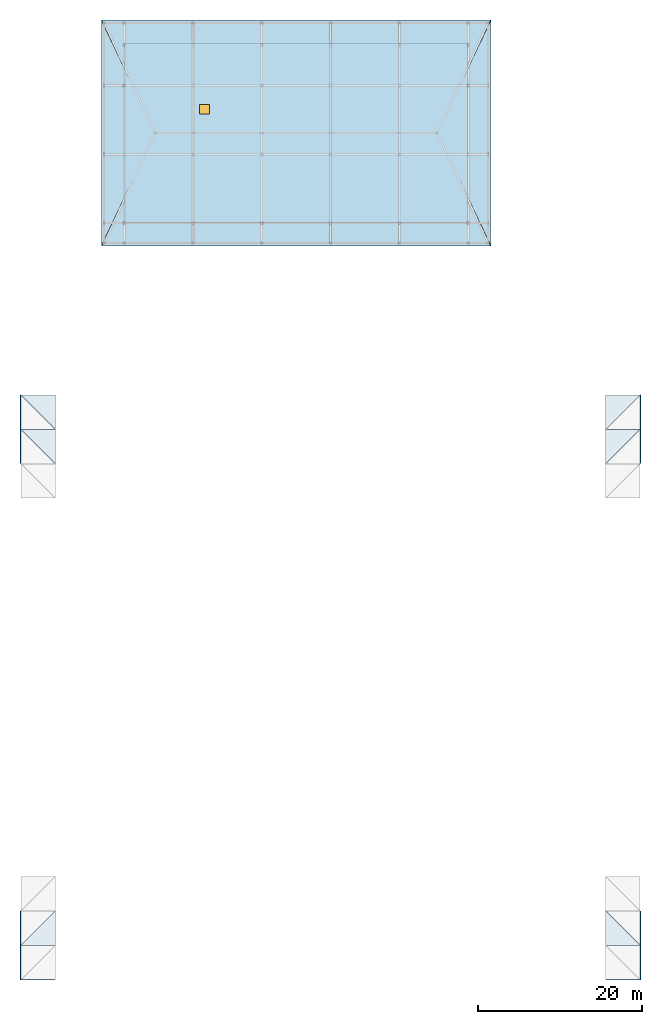
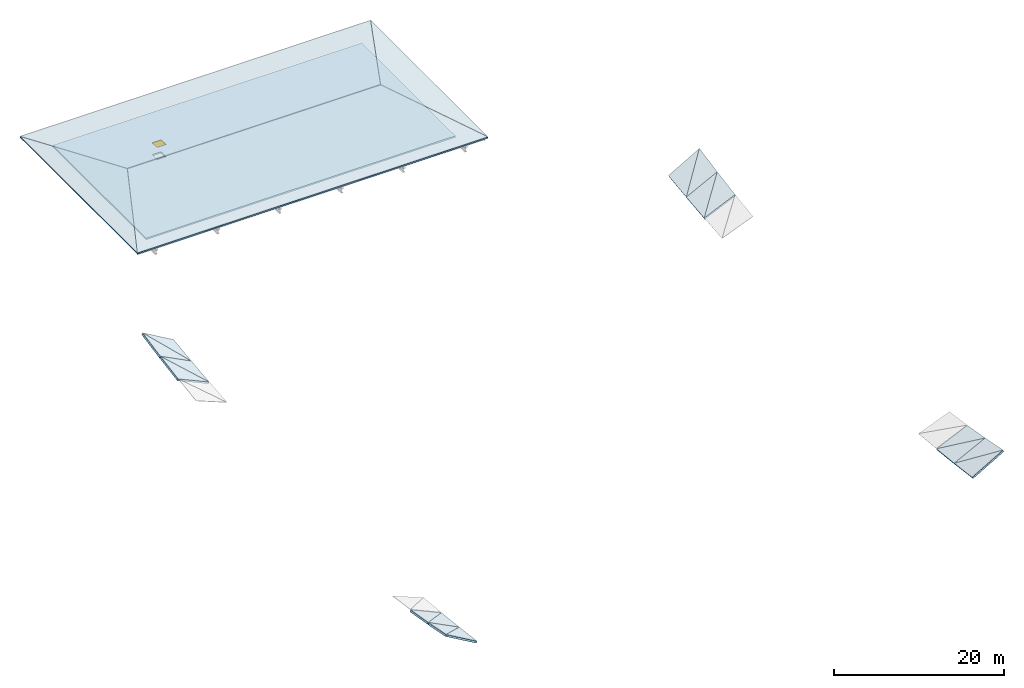
# One storey, part 8 of 13: 21 slabs, 1 window, 1 opening.
"""IFC4 building model written with IfcOpenShell, lengths in metres."""

from ifc_helpers import new_model, si_unit, direction, frame, origin, origin_2d, place, context, subcontext, project, spatial, polyline, rectangle, outline, extrude, material, layer, layer_set, type_object, element, fill, save


model = new_model("IFC4")

# Units and contexts
model_context = context("Model", 3, precision=1e-05, world=origin(), true_north=direction((0.0, 1.0)))
body_context = subcontext(model_context, "Body", "Model", "MODEL_VIEW")
ifc_project = project(units=[si_unit("LENGTHUNIT", "METRE"), si_unit("AREAUNIT", "SQUARE_METRE"), si_unit("VOLUMEUNIT", "CUBIC_METRE"), si_unit("PLANEANGLEUNIT", "RADIAN"), si_unit("MASSUNIT", "GRAM", prefix="KILO")], contexts=[model_context])

# Site, building, storey
site_placement = place(None, origin())
site = spatial("IfcSite", under=ifc_project, at=site_placement, CompositionType="ELEMENT")
building_placement = place(site_placement, origin())
building = spatial("IfcBuilding", under=site, at=building_placement, Name="Cumbredor Promenade Congress Hotel", CompositionType="ELEMENT")
storey_placement = place(building_placement, frame((0.0, 0.0, 38.639892578125)))
storey = spatial("IfcBuildingStorey", under=building, at=storey_placement, Name="RF", CompositionType="ELEMENT", Elevation=38.639892578125)

# Slabs
ifc_material_1 = material(Name="Concrete C40/50", Category="concrete")
ifc_layer_1 = layer(ifc_material_1, 0.25, Name="Concrete C40/50", Category="concrete")
ifc_layer_set_1 = layer_set([ifc_layer_1], Name="Concrete C40/50")
slab_type_1 = type_object("IfcSlabType", Name="Catenary Space Frame Roof Deck 250mm", PredefinedType="ROOF", material=ifc_layer_set_1)
slab_1_placement = place(storey_placement, frame((-4.199951171875, 0.0, 3.56005859375), z_axis=(0.498474139953, 0.109722296149, 0.859932875012), x_axis=(0.865156445792, 0.0, -0.501502068095)))
element("IfcSlab", 1, at=slab_1_placement, inside=storey, type_object=slab_type_1, Name="Plenary Congress Hall Sweeping Roof Deck Facet 1.1.1", PredefinedType="ROOF", context=body_context, shape_type="SweptSolid", body=[
    extrude(outline(polyline([(0.0, 0.0), (4.854556875003168, -2.7755575615628914e-17), (5.123306152217286, 4.225463328532745), (0.0, 0.0)])), origin(), (0.0, 0.0, -1.0), 0.25),
])
slab_2_placement = place(storey_placement, frame((-4.199951171875, 0.0, 3.56005859375), z_axis=(0.449143673494, 0.171073223044, 0.876928681774), x_axis=(0.632428057547, 0.632428057547, -0.447291296645)))
element("IfcSlab", 2, at=slab_2_placement, inside=storey, type_object=slab_type_1, Name="Plenary Congress Hall Sweeping Roof Deck Facet 1.1.2", PredefinedType="ROOF", context=body_context, shape_type="SweptSolid", body=[
    extrude(outline(polyline([(0.0, 0.0), (6.6409943735951575, 1.1102230246251565e-16), (3.022648795294112, 3.0289429649500246), (0.0, 0.0)])), origin(), (0.0, 0.0, -1.0), 0.25),
])
slab_3_placement = place(storey_placement, frame((-4.199951171875, 4.199951171875, 2.74072265625), z_axis=(0.453631186803, 0.098850513978, 0.885690308316), x_axis=(0.890049508975, 0.0, -0.455863873951)))
element("IfcSlab", 3, at=slab_3_placement, inside=storey, type_object=slab_type_1, Name="Plenary Congress Hall Sweeping Roof Deck Facet 1.2.1", PredefinedType="ROOF", context=body_context, shape_type="SweptSolid", body=[
    extrude(outline(polyline([(0.0, 0.0), (4.718783763739442, 0.0), (4.932469954653939, 4.220622539442095), (0.0, 0.0)])), origin(), (0.0, 0.0, -1.0), 0.25),
])
slab_4_placement = place(storey_placement, frame((-4.199951171875, 4.199951171875, 2.74072265625), z_axis=(0.40782723686, 0.153608821991, 0.900045151468), x_axis=(0.64696674513, 0.64696674513, -0.403569153171)))
element("IfcSlab", 4, at=slab_4_placement, inside=storey, type_object=slab_type_1, Name="Plenary Congress Hall Sweeping Roof Deck Facet 1.2.2", PredefinedType="ROOF", context=body_context, shape_type="SweptSolid", body=[
    extrude(outline(polyline([(0.0, 0.0), (6.491757425690709, -2.220446049250313e-16), (3.0065058472135213, 3.0189915860788448), (0.0, 0.0)])), origin(), (0.0, 0.0, -1.0), 0.25),
])
slab_5_placement = place(storey_placement, frame((-4.199951171875, 63.0, 2.02392578125), z_axis=(0.40782723686, -0.153608821991, 0.900045151468), x_axis=(0.910855423121, 0.0, -0.412725572471)))
element("IfcSlab", 5, at=slab_5_placement, inside=storey, type_object=slab_type_1, Name="Plenary Congress Hall Sweeping Roof Deck Facet 1.16.1", PredefinedType="ROOF", context=body_context, shape_type="SweptSolid", body=[
    extrude(outline(polyline([(0.0, 0.0), (4.6109965042377326, 0.0), (-0.29584040058006345, 4.250395989026032), (0.0, 0.0)])), origin(), (0.0, 0.0, -1.0), 0.25),
])
slab_6_placement = place(storey_placement, frame((0.0, 63.0, 0.120849609375), z_axis=(0.453631186803, -0.098850513978, 0.885690308316), x_axis=(0.0, 0.993829366657, 0.110919745625)))
element("IfcSlab", 6, at=slab_6_placement, inside=storey, type_object=slab_type_1, Name="Plenary Congress Hall Sweeping Roof Deck Facet 1.16.2", PredefinedType="ROOF", context=body_context, shape_type="SweptSolid", body=[
    extrude(outline(polyline([(0.0, 0.0), (4.22602844389791, -2.7755575615628914e-17), (4.464630465064764, 4.712747530308203), (0.0, 0.0)])), origin(), (0.0, 0.0, -1.0), 0.25),
])
slab_7_placement = place(storey_placement, frame((-4.199951171875, 67.199951171875, 2.74072265625), z_axis=(0.449143673494, -0.171073223044, 0.876928681774), x_axis=(0.890049508975, 0.0, -0.455863873951)))
element("IfcSlab", 7, at=slab_7_placement, inside=storey, type_object=slab_type_1, Name="Plenary Congress Hall Sweeping Roof Deck Facet 1.17.1", PredefinedType="ROOF", context=body_context, shape_type="SweptSolid", body=[
    extrude(outline(polyline([(0.0, 0.0), (4.718783763739442, 0.0), (-0.373505654535965, 4.26279189623923), (0.0, 0.0)])), origin(), (0.0, 0.0, -1.0), 0.25),
])
slab_8_placement = place(storey_placement, frame((0.0, 67.199951171875, 0.589599609375), z_axis=(0.498474139953, -0.109722296149, 0.859932875012), x_axis=(0.0, 0.991957945242, 0.126567906168)))
element("IfcSlab", 8, at=slab_8_placement, inside=storey, type_object=slab_type_1, Name="Plenary Congress Hall Sweeping Roof Deck Facet 1.17.2", PredefinedType="ROOF", context=body_context, shape_type="SweptSolid", body=[
    extrude(outline(polyline([(0.0, 0.0), (4.234001241707204, 0.0), (4.542139708578761, 4.844767604114214), (0.0, 0.0)])), origin(), (0.0, 0.0, -1.0), 0.25),
])
slab_9_placement = place(storey_placement, frame((67.199951171875, 0.0, 1.12548828125), z_axis=(-0.498474139953, 0.109722296149, 0.859932875012), x_axis=(0.865156445792, 0.0, 0.501502068095)))
element("IfcSlab", 9, at=slab_9_placement, inside=storey, type_object=slab_type_1, Name="Plenary Congress Hall Sweeping Roof Deck Facet 18.1.1", PredefinedType="ROOF", context=body_context, shape_type="SweptSolid", body=[
    extrude(outline(polyline([(0.0, 0.0), (4.854556875003168, 2.7755575615628914e-17), (-0.2687492772141179, 4.225463328532745), (0.0, 0.0)])), origin(), (0.0, 0.0, -1.0), 0.25),
])
slab_10_placement = place(storey_placement, frame((71.39990234375, 0.0, 3.56005859375), z_axis=(-0.449143673494, 0.171073223044, 0.876928681774), x_axis=(0.0, 0.98149791513, -0.191472824692)))
element("IfcSlab", 10, at=slab_10_placement, inside=storey, type_object=slab_type_1, Name="Plenary Congress Hall Sweeping Roof Deck Facet 18.1.2", PredefinedType="ROOF", context=body_context, shape_type="SweptSolid", body=[
    extrude(outline(polyline([(0.0, 0.0), (4.279123885167755, -5.551115123125783e-17), (4.691005491212935, 4.700773739665909), (0.0, 0.0)])), origin(), (0.0, 0.0, -1.0), 0.25),
])
slab_11_placement = place(storey_placement, frame((67.199951171875, 4.199951171875, 0.589599609375), z_axis=(-0.453631186803, 0.098850513978, 0.885690308316), x_axis=(0.890049508975, 0.0, 0.455863873951)))
element("IfcSlab", 11, at=slab_11_placement, inside=storey, type_object=slab_type_1, Name="Plenary Congress Hall Sweeping Roof Deck Facet 18.2.1", PredefinedType="ROOF", context=body_context, shape_type="SweptSolid", body=[
    extrude(outline(polyline([(0.0, 0.0), (4.718783763739442, 0.0), (-0.21368619091449725, 4.220622539442095), (0.0, 0.0)])), origin(), (0.0, 0.0, -1.0), 0.25),
])
slab_12_placement = place(storey_placement, frame((71.39990234375, 4.199951171875, 2.74072265625), z_axis=(-0.40782723686, 0.153608821991, 0.900045151468), x_axis=(0.0, 0.985746857011, -0.168235352682)))
element("IfcSlab", 12, at=slab_12_placement, inside=storey, type_object=slab_type_1, Name="Plenary Congress Hall Sweeping Roof Deck Facet 18.2.2", PredefinedType="ROOF", context=body_context, shape_type="SweptSolid", body=[
    extrude(outline(polyline([(0.0, 0.0), (4.260679242344342, 0.0), (4.58084393330014, 4.599867751659581), (0.0, 0.0)])), origin(), (0.0, 0.0, -1.0), 0.25),
])
slab_13_placement = place(storey_placement, frame((67.199951171875, 63.0, 0.120849609375), z_axis=(-0.40782723686, -0.153608821991, 0.900045151468), x_axis=(0.910855423121, 0.0, 0.412725572471)))
element("IfcSlab", 13, at=slab_13_placement, inside=storey, type_object=slab_type_1, Name="Plenary Congress Hall Sweeping Roof Deck Facet 18.16.1", PredefinedType="ROOF", context=body_context, shape_type="SweptSolid", body=[
    extrude(outline(polyline([(0.0, 0.0), (4.6109965042377326, 0.0), (4.906836904817796, 4.250395989026032), (0.0, 0.0)])), origin(), (0.0, 0.0, -1.0), 0.25),
])
slab_14_placement = place(storey_placement, frame((67.199951171875, 63.0, 0.120849609375), z_axis=(-0.453631186803, -0.098850513978, 0.885690308316), x_axis=(0.64696674513, 0.64696674513, 0.403569153171)))
element("IfcSlab", 14, at=slab_14_placement, inside=storey, type_object=slab_type_1, Name="Plenary Congress Hall Sweeping Roof Deck Facet 18.16.2", PredefinedType="ROOF", context=body_context, shape_type="SweptSolid", body=[
    extrude(outline(polyline([(0.0, 0.0), (6.491757425690709, -3.3306690738754696e-16), (2.9064017799231556, 3.0679219517930534), (0.0, 0.0)])), origin(), (0.0, 0.0, -1.0), 0.25),
])
slab_15_placement = place(storey_placement, frame((67.199951171875, 67.199951171875, 0.589599609375), z_axis=(-0.449143673494, -0.171073223044, 0.876928681774), x_axis=(0.890049508975, 0.0, 0.455863873951)))
element("IfcSlab", 15, at=slab_15_placement, inside=storey, type_object=slab_type_1, Name="Plenary Congress Hall Sweeping Roof Deck Facet 18.17.1", PredefinedType="ROOF", context=body_context, shape_type="SweptSolid", body=[
    extrude(outline(polyline([(0.0, 0.0), (4.718783763739442, 0.0), (5.092289418275407, 4.26279189623923), (0.0, 0.0)])), origin(), (0.0, 0.0, -1.0), 0.25),
])
slab_16_placement = place(storey_placement, frame((67.199951171875, 67.199951171875, 0.589599609375), z_axis=(-0.498474139953, -0.109722296149, 0.859932875012), x_axis=(0.632428057547, 0.632428057547, 0.447291296645)))
element("IfcSlab", 16, at=slab_16_placement, inside=storey, type_object=slab_type_1, Name="Plenary Congress Hall Sweeping Roof Deck Facet 18.17.2", PredefinedType="ROOF", context=body_context, shape_type="SweptSolid", body=[
    extrude(outline(polyline([(0.0, 0.0), (6.6409943735951575, -2.220446049250313e-16), (2.895865300322334, 3.0888073227650796), (0.0, 0.0)])), origin(), (0.0, 0.0, -1.0), 0.25),
])
ifc_layer_2 = layer(ifc_material_1, 0.219970703125, Name="Concrete C40/50", Category="concrete")
ifc_layer_set_2 = layer_set([ifc_layer_2], Name="Concrete C40/50")
slab_type_2 = type_object("IfcSlabType", Name="Hotel Tropical Hipped Roof Deck 220mm", PredefinedType="ROOF", material=ifc_layer_set_2)
slab_17_placement = place(storey_placement, frame((0.0, 0.0, -0.219970703125)))
element("IfcSlab", 17, at=slab_17_placement, inside=storey, type_object=slab_type_2, Name="Stepped Congress Hotel Wing Top-Floor Structural Ceiling Slab", PredefinedType="ROOF", context=body_context, shape_type="SweptSolid", body=[
    extrude(outline(polyline([(8.39990234375, 92.39990234375), (50.39990234375, 92.39990234375), (50.39990234375, 114.39990234375), (8.39990234375, 114.39990234375), (8.39990234375, 92.39990234375)]), holes=[polyline([(17.60009765625, 105.699951171875), (18.800048828125, 105.699951171875), (18.800048828125, 106.89990234375), (17.60009765625, 106.89990234375), (17.60009765625, 105.699951171875)])]), origin(), (0.0, 0.0, 1.0), 0.219970703125),
])
slab_18_placement = place(storey_placement, frame((5.60009765625, 89.60009765625, 0.56005859375), z_axis=(0.0, -0.103326481878, 0.994647494413), x_axis=(1.0, 0.0, 0.0)))
element("IfcSlab", 18, at=slab_18_placement, inside=storey, type_object=slab_type_2, Name="Hotel Wing South Tropical Hipped Roof Deck", PredefinedType="ROOF", context=body_context, shape_type="SweptSolid", body=[
    extrude(outline(polyline([(0.0, 0.0), (47.599853515625, 0.0), (41.0, 13.83896571945249), (6.599853515625, 13.83896571945249), (0.0, 0.0)])), origin(), (0.0, 0.0, -1.0), 0.219970703125),
])

# Slab, opening, window
slab_19_placement = place(storey_placement, frame((53.199951171875, 117.199951171875, 0.56005859375), z_axis=(0.0, 0.103326481878, 0.994647494413), x_axis=(-1.0, 0.0, 0.0)))
slab_19 = element("IfcSlab", 19, at=slab_19_placement, inside=storey, type_object=slab_type_2, Name="Hotel Wing North Tropical Hipped Roof Deck", PredefinedType="ROOF", context=body_context, shape_type="SweptSolid", body=[
    extrude(outline(polyline([(0.0, 0.0), (47.599853515625, 0.0), (41.0, 13.83896571945249), (6.599853515625, 13.83896571945249), (0.0, 0.0)])), origin(), (0.0, 0.0, -1.0), 0.219970703125),
])
opening_placement = place(storey_placement, frame((18.199951171875, 106.300048828125, 1.271240234375)))
opening = element("IfcOpeningElement", 20, at=opening_placement, cuts=slab_19, Name="Opening RH-01", PredefinedType="OPENING", context=body_context, shape_type="SweptSolid", body=[
    extrude(rectangle(XDim=1.199951171875, YDim=1.199951171875, at=origin_2d()), origin(), (0.0, 0.0, 1.0), 0.521240234375),
])
ifc_material_2 = material(Name="Thermally broken insulated aluminium curb and hatch leaf", Category="aluminium")
window_type = type_object("IfcWindowType", Name="Insulated Roof Access Hatch RH-01 1200x1200", PartitioningType="SINGLE_PANEL", PredefinedType="SKYLIGHT", material=ifc_material_2)
window_placement = place(opening_placement, frame((0.0, 0.0, 0.37109375)))
window = element("IfcWindow", 21, at=window_placement, inside=storey, type_object=window_type, Name="RF Hotel Wing Maintenance Roof Access Hatch RH-01", OverallHeight=1.199951171875, OverallWidth=1.199951171875, PartitioningType="SINGLE_PANEL", PredefinedType="SKYLIGHT", context=body_context, shape_type="SweptSolid", body=[
    extrude(rectangle(XDim=1.199951171875, YDim=1.199951171875, at=origin_2d()), origin(), (0.0, 0.0, 1.0), 0.050048828125),
])
fill(opening, window)

# Slabs
slab_20_placement = place(storey_placement, frame((5.60009765625, 117.199951171875, 0.56005859375), z_axis=(-0.211748167214, 0.0, 0.977324262301), x_axis=(0.0, -1.0, 0.0)))
element("IfcSlab", 22, at=slab_20_placement, inside=storey, type_object=slab_type_2, Name="Hotel Wing West Tropical Hipped Roof Deck", PredefinedType="ROOF", context=body_context, shape_type="SweptSolid", body=[
    extrude(outline(polyline([(0.0, 0.0), (27.599853515625, 0.0), (13.800048828125, 6.752982372594214), (0.0, 0.0)])), origin(), (0.0, 0.0, -1.0), 0.219970703125),
])
slab_21_placement = place(storey_placement, frame((53.199951171875, 89.60009765625, 0.56005859375), z_axis=(0.211748167214, 0.0, 0.977324262301), x_axis=(0.0, 1.0, 0.0)))
element("IfcSlab", 23, at=slab_21_placement, inside=storey, type_object=slab_type_2, Name="Hotel Wing East Tropical Hipped Roof Deck", PredefinedType="ROOF", context=body_context, shape_type="SweptSolid", body=[
    extrude(outline(polyline([(0.0, 0.0), (27.599853515625, 0.0), (13.7998046875, 6.752982372594214), (0.0, 0.0)])), origin(), (0.0, 0.0, -1.0), 0.219970703125),
])

save(model, "model.ifc")
